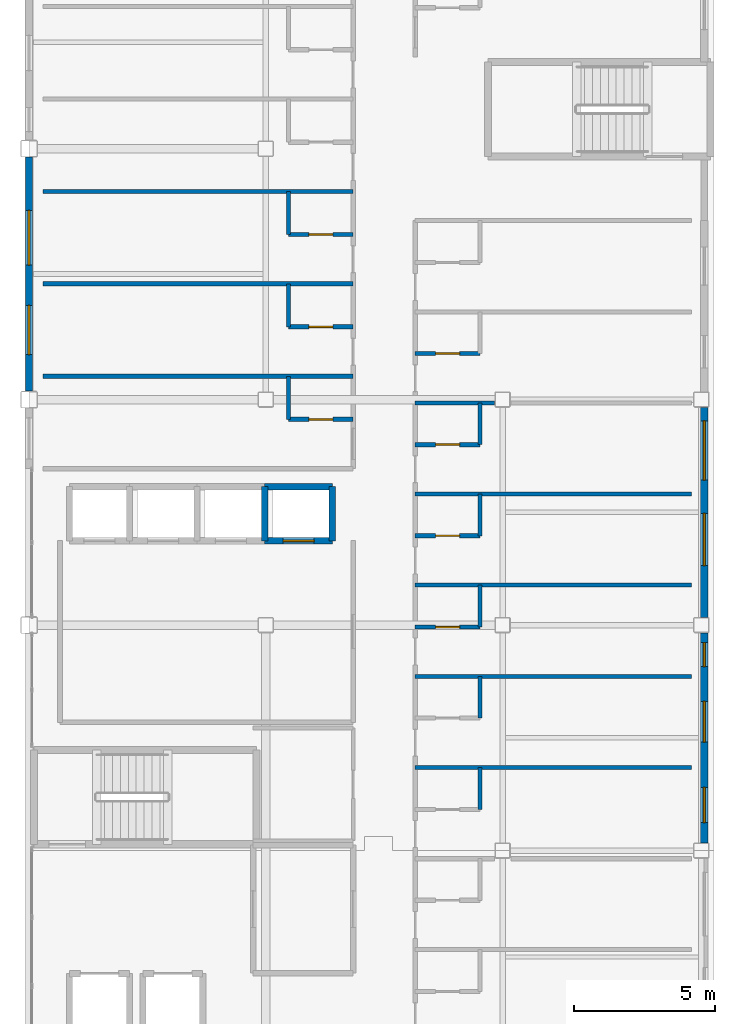
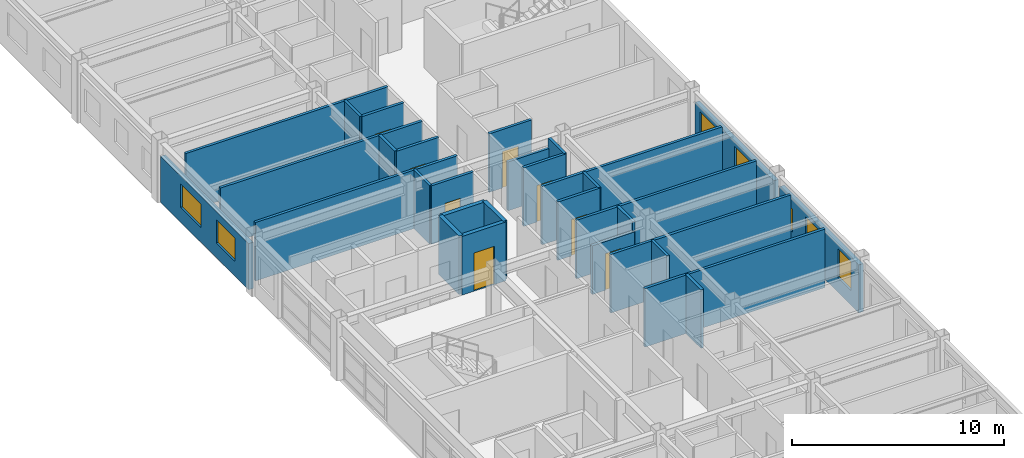
# One storey, part 29 of 36: 30 walls, 8 doors, 7 windows, 15 openings.
"""IFC4 building model written with IfcOpenShell, lengths in metres."""

from ifc_helpers import new_model, si_unit, direction, frame, frame_2d, origin, place, context, subcontext, project, spatial, rectangle, extrude, material, layer, layer_set, type_object, element, fill, save


model = new_model("IFC4")

# Units and contexts
model_context = context("Model", 3, precision=1e-05, world=origin(), true_north=direction((0.0, 1.0)))
body_context = subcontext(model_context, "Body", "Model", "MODEL_VIEW")
ifc_project = project(units=[si_unit("LENGTHUNIT", "METRE"), si_unit("AREAUNIT", "SQUARE_METRE"), si_unit("VOLUMEUNIT", "CUBIC_METRE"), si_unit("PLANEANGLEUNIT", "RADIAN"), si_unit("MASSUNIT", "GRAM", prefix="KILO")], contexts=[model_context])

# Site, building, storey
site_placement = place(None, origin())
site = spatial("IfcSite", under=ifc_project, at=site_placement, CompositionType="ELEMENT")
building_placement = place(site_placement, origin())
building = spatial("IfcBuilding", under=site, at=building_placement, Name="Kazehara Bluff Congress Hotel", CompositionType="ELEMENT")
storey_placement = place(building_placement, frame((0.0, 0.0, 28.199951171875)))
storey = spatial("IfcBuildingStorey", under=building, at=storey_placement, Name="L06", CompositionType="ELEMENT", Elevation=28.199951171875)

# Wall, openings, windows
ifc_material_1 = material(Name="Precast concrete C40/50", Category="concrete")
ifc_layer_1 = layer(ifc_material_1, 0.260009765625)
ifc_layer_set_1 = layer_set([ifc_layer_1], Name="Precast concrete C40/50")
wall_type_1 = type_object("IfcWallType", Name="TP-EW-260", PredefinedType="SOLIDWALL", material=ifc_layer_set_1)
wall_1_placement = place(storey_placement, frame((167.64990234375, 56.175048828125, 0.0), z_axis=(0.0, 0.0, 1.0), x_axis=(0.0, -1.0, 0.0)))
wall_1 = element("IfcWall", 1, at=wall_1_placement, inside=storey, type_object=wall_type_1, Name="L06 hotel facade panel 72", PredefinedType="SOLIDWALL", context=body_context, shape_type="SweptSolid", body=[
    extrude(rectangle(XDim=7.449951171875, YDim=0.260009765625, at=frame_2d((3.72509765625, 0.0))), origin(), (0.0, 0.0, 1.0), 2.755126953125),
])
opening_1_placement = place(wall_1_placement, frame((5.485107421875, 0.0, 0.85009765625)))
opening_1 = element("IfcOpeningElement", 2, at=opening_1_placement, cuts=wall_1, Name="Opening WN-08", PredefinedType="OPENING", context=body_context, shape_type="SweptSolid", body=[
    extrude(rectangle(XDim=1.25, YDim=1.64990234375, at=frame_2d((0.625, 0.824951171875))), frame((0.0, 0.139892578125, 0.0), z_axis=(0.0, -1.0, 0.0), x_axis=(1.0, 0.0, 0.0)), (0.0, 0.0, 1.0), 0.280029296875),
])
opening_2_placement = place(wall_1_placement, frame((2.429931640625, 0.0, 0.85009765625)))
opening_2 = element("IfcOpeningElement", 3, at=opening_2_placement, cuts=wall_1, Name="Opening WN-18", PredefinedType="OPENING", context=body_context, shape_type="SweptSolid", body=[
    extrude(rectangle(XDim=1.449951171875, YDim=1.64990234375, at=frame_2d((0.72509765625, 0.824951171875))), frame((0.0, 0.139892578125, 0.0), z_axis=(0.0, -1.0, 0.0), x_axis=(1.0, 0.0, 0.0)), (0.0, 0.0, 1.0), 0.280029296875),
])
opening_3_placement = place(wall_1_placement, frame((0.344970703125, 0.0, 0.85009765625)))
opening_3 = element("IfcOpeningElement", 4, at=opening_3_placement, cuts=wall_1, Name="Opening WN-55", PredefinedType="OPENING", context=body_context, shape_type="SweptSolid", body=[
    extrude(rectangle(XDim=0.85009765625, YDim=1.35009765625, at=frame_2d((0.425048828125, 0.675048828125))), frame((0.0, 0.139892578125, 0.0), z_axis=(0.0, -1.0, 0.0), x_axis=(1.0, 0.0, 0.0)), (0.0, 0.0, 1.0), 0.280029296875),
])
ifc_material_2 = material(Name="Insulated low-E double glazing", Category="glass")
window_type_1 = type_object("IfcWindowType", Name="TP-WN-08", PartitioningType="SINGLE_PANEL", PredefinedType="WINDOW", material=ifc_material_2)
window_1_placement = place(opening_1_placement, origin())
window_1 = element("IfcWindow", 5, at=window_1_placement, inside=storey, type_object=window_type_1, Name="L06 guestroom window WN-08 132", OverallHeight=1.64990234375, OverallWidth=1.25, PartitioningType="SINGLE_PANEL", PredefinedType="WINDOW", context=body_context, shape_type="SweptSolid", body=[
    extrude(rectangle(XDim=1.25, YDim=1.64990234375, at=frame_2d((0.625, 0.824951171875))), frame((0.0, 0.030029296875, 0.0), z_axis=(0.0, -1.0, 0.0), x_axis=(1.0, 0.0, 0.0)), (0.0, 0.0, 1.0), 0.06005859375),
])
fill(opening_1, window_1)
ifc_material_3 = material(Name="Insulated low-E double glazing", Category="glass")
window_type_2 = type_object("IfcWindowType", Name="TP-WN-18", PartitioningType="SINGLE_PANEL", PredefinedType="WINDOW", material=ifc_material_3)
window_2_placement = place(opening_2_placement, origin())
window_2 = element("IfcWindow", 6, at=window_2_placement, inside=storey, type_object=window_type_2, Name="L06 guestroom window WN-18 133", OverallHeight=1.64990234375, OverallWidth=1.449951171875, PartitioningType="SINGLE_PANEL", PredefinedType="WINDOW", context=body_context, shape_type="SweptSolid", body=[
    extrude(rectangle(XDim=1.449951171875, YDim=1.64990234375, at=frame_2d((0.72509765625, 0.824951171875))), frame((0.0, 0.030029296875, 0.0), z_axis=(0.0, -1.0, 0.0), x_axis=(1.0, 0.0, 0.0)), (0.0, 0.0, 1.0), 0.06005859375),
])
fill(opening_2, window_2)
ifc_material_4 = material(Name="Insulated low-E double glazing", Category="glass")
window_type_3 = type_object("IfcWindowType", Name="TP-WN-55", PartitioningType="SINGLE_PANEL", PredefinedType="WINDOW", material=ifc_material_4)
window_3_placement = place(opening_3_placement, origin())
window_3 = element("IfcWindow", 7, at=window_3_placement, inside=storey, type_object=window_type_3, Name="L06 guestroom window WN-55 134", OverallHeight=1.35009765625, OverallWidth=0.85009765625, PartitioningType="SINGLE_PANEL", PredefinedType="WINDOW", context=body_context, shape_type="SweptSolid", body=[
    extrude(rectangle(XDim=0.85009765625, YDim=1.35009765625, at=frame_2d((0.425048828125, 0.675048828125))), frame((0.0, 0.030029296875, 0.0), z_axis=(0.0, -1.0, 0.0), x_axis=(1.0, 0.0, 0.0)), (0.0, 0.0, 1.0), 0.06005859375),
])
fill(opening_3, window_3)

wall_2_placement = place(storey_placement, frame((167.64990234375, 64.175048828125, 0.0), z_axis=(0.0, 0.0, 1.0), x_axis=(0.0, -1.0, 0.0)))
wall_2 = element("IfcWall", 8, at=wall_2_placement, inside=storey, type_object=wall_type_1, Name="L06 hotel facade panel 73", PredefinedType="SOLIDWALL", context=body_context, shape_type="SweptSolid", body=[
    extrude(rectangle(XDim=7.449951171875, YDim=0.260009765625, at=frame_2d((3.72509765625, 0.0))), origin(), (0.0, 0.0, 1.0), 2.755126953125),
])
opening_4_placement = place(wall_2_placement, frame((3.764892578125, 0.0, 0.85009765625)))
opening_4 = element("IfcOpeningElement", 9, at=opening_4_placement, cuts=wall_2, Name="Opening WN-38", PredefinedType="OPENING", context=body_context, shape_type="SweptSolid", body=[
    extrude(rectangle(XDim=1.85009765625, YDim=1.64990234375, at=frame_2d((0.925048828125, 0.824951171875))), frame((0.0, 0.139892578125, 0.0), z_axis=(0.0, -1.0, 0.0), x_axis=(1.0, 0.0, 0.0)), (0.0, 0.0, 1.0), 0.280029296875),
])
opening_5_placement = place(wall_2_placement, frame((0.485107421875, 0.0, 0.85009765625)))
opening_5 = element("IfcOpeningElement", 10, at=opening_5_placement, cuts=wall_2, Name="Opening WN-48", PredefinedType="OPENING", context=body_context, shape_type="SweptSolid", body=[
    extrude(rectangle(XDim=2.10009765625, YDim=1.64990234375, at=frame_2d((1.050048828125, 0.824951171875))), frame((0.0, 0.139892578125, 0.0), z_axis=(0.0, -1.0, 0.0), x_axis=(1.0, 0.0, 0.0)), (0.0, 0.0, 1.0), 0.280029296875),
])
ifc_material_5 = material(Name="Insulated low-E double glazing", Category="glass")
window_type_4 = type_object("IfcWindowType", Name="TP-WN-38", PartitioningType="DOUBLE_PANEL_VERTICAL", PredefinedType="WINDOW", material=ifc_material_5)
window_4_placement = place(opening_4_placement, origin())
window_4 = element("IfcWindow", 11, at=window_4_placement, inside=storey, type_object=window_type_4, Name="L06 guestroom window WN-38 135", OverallHeight=1.64990234375, OverallWidth=1.85009765625, PartitioningType="SINGLE_PANEL", PredefinedType="WINDOW", context=body_context, shape_type="SweptSolid", body=[
    extrude(rectangle(XDim=1.85009765625, YDim=1.64990234375, at=frame_2d((0.925048828125, 0.824951171875))), frame((0.0, 0.030029296875, 0.0), z_axis=(0.0, -1.0, 0.0), x_axis=(1.0, 0.0, 0.0)), (0.0, 0.0, 1.0), 0.06005859375),
])
fill(opening_4, window_4)
ifc_material_6 = material(Name="Insulated low-E double glazing", Category="glass")
window_type_5 = type_object("IfcWindowType", Name="TP-WN-48", PartitioningType="DOUBLE_PANEL_VERTICAL", PredefinedType="WINDOW", material=ifc_material_6)
window_5_placement = place(opening_5_placement, origin())
window_5 = element("IfcWindow", 12, at=window_5_placement, inside=storey, type_object=window_type_5, Name="L06 guestroom window WN-48 136", OverallHeight=1.64990234375, OverallWidth=2.10009765625, PartitioningType="SINGLE_PANEL", PredefinedType="WINDOW", context=body_context, shape_type="SweptSolid", body=[
    extrude(rectangle(XDim=2.10009765625, YDim=1.64990234375, at=frame_2d((1.050048828125, 0.824951171875))), frame((0.0, 0.030029296875, 0.0), z_axis=(0.0, -1.0, 0.0), x_axis=(1.0, 0.0, 0.0)), (0.0, 0.0, 1.0), 0.06005859375),
])
fill(opening_5, window_5)

wall_3_placement = place(storey_placement, frame((143.699951171875, 64.75, 0.0), z_axis=(0.0, 0.0, 1.0), x_axis=(0.0, 1.0, 0.0)))
wall_3 = element("IfcWall", 13, at=wall_3_placement, inside=storey, type_object=wall_type_1, Name="L06 hotel facade panel 85", PredefinedType="SOLIDWALL", context=body_context, shape_type="SweptSolid", body=[
    extrude(rectangle(XDim=8.300048828125, YDim=0.260009765625, at=frame_2d((4.14990234375, 0.0))), origin(), (0.0, 0.0, 1.0), 2.655029296875),
])
opening_6_placement = place(wall_3_placement, frame((1.2900390625, 0.0, 0.85009765625)))
opening_6 = element("IfcOpeningElement", 14, at=opening_6_placement, cuts=wall_3, Name="Opening WN-31", PredefinedType="OPENING", context=body_context, shape_type="SweptSolid", body=[
    extrude(rectangle(XDim=1.75, YDim=1.35009765625, at=frame_2d((0.875, 0.675048828125))), frame((0.0, 0.139892578125, 0.0), z_axis=(0.0, -1.0, 0.0), x_axis=(1.0, 0.0, 0.0)), (0.0, 0.0, 1.0), 0.280029296875),
])
opening_7_placement = place(wall_3_placement, frame((4.465087890625, 0.0, 0.85009765625)))
opening_7 = element("IfcOpeningElement", 15, at=opening_7_placement, cuts=wall_3, Name="Opening WN-41", PredefinedType="OPENING", context=body_context, shape_type="SweptSolid", body=[
    extrude(rectangle(XDim=1.949951171875, YDim=1.35009765625, at=frame_2d((0.97509765625, 0.675048828125))), frame((0.0, 0.139892578125, 0.0), z_axis=(0.0, -1.0, 0.0), x_axis=(1.0, 0.0, 0.0)), (0.0, 0.0, 1.0), 0.280029296875),
])
ifc_material_7 = material(Name="Insulated low-E double glazing", Category="glass")
window_type_6 = type_object("IfcWindowType", Name="TP-WN-31", PartitioningType="SINGLE_PANEL", PredefinedType="WINDOW", material=ifc_material_7)
window_6_placement = place(opening_6_placement, origin())
window_6 = element("IfcWindow", 16, at=window_6_placement, inside=storey, type_object=window_type_6, Name="L06 guestroom window WN-31 155", OverallHeight=1.35009765625, OverallWidth=1.75, PartitioningType="SINGLE_PANEL", PredefinedType="WINDOW", context=body_context, shape_type="SweptSolid", body=[
    extrude(rectangle(XDim=1.75, YDim=1.35009765625, at=frame_2d((0.875, 0.675048828125))), frame((0.0, 0.030029296875, 0.0), z_axis=(0.0, -1.0, 0.0), x_axis=(1.0, 0.0, 0.0)), (0.0, 0.0, 1.0), 0.06005859375),
])
fill(opening_6, window_6)
ifc_material_8 = material(Name="Insulated low-E double glazing", Category="glass")
window_type_7 = type_object("IfcWindowType", Name="TP-WN-41", PartitioningType="DOUBLE_PANEL_VERTICAL", PredefinedType="WINDOW", material=ifc_material_8)
window_7_placement = place(opening_7_placement, origin())
window_7 = element("IfcWindow", 17, at=window_7_placement, inside=storey, type_object=window_type_7, Name="L06 guestroom window WN-41 156", OverallHeight=1.35009765625, OverallWidth=1.949951171875, PartitioningType="SINGLE_PANEL", PredefinedType="WINDOW", context=body_context, shape_type="SweptSolid", body=[
    extrude(rectangle(XDim=1.949951171875, YDim=1.35009765625, at=frame_2d((0.97509765625, 0.675048828125))), frame((0.0, 0.030029296875, 0.0), z_axis=(0.0, -1.0, 0.0), x_axis=(1.0, 0.0, 0.0)), (0.0, 0.0, 1.0), 0.06005859375),
])
fill(opening_7, window_7)

# Walls
ifc_material_9 = material(Name="Fire-rated gypsum board stud partition")
ifc_layer_2 = layer(ifc_material_9, 0.14990234375)
ifc_layer_set_2 = layer_set([ifc_layer_2], Name="Fire-rated gypsum board stud partition")
wall_type_2 = type_object("IfcWallType", Name="TP-PT-150", PredefinedType="PARTITIONING", material=ifc_layer_set_2)
for number, where, z_axis, x_axis, name in (
    (18, (157.39990234375, 51.39990234375, 0.0), (0.0, 0.0, 1.0), (1.0, 0.0, 0.0), "L06 partition PT-150 740"),
    (19, (157.39990234375, 54.6298828125, 0.0), (0.0, 0.0, 1.0), (1.0, 0.0, 0.0), "L06 partition PT-150 744"),
):
    element("IfcWall", number, at=place(storey_placement, frame(where, z_axis=z_axis, x_axis=x_axis)), inside=storey, type_object=wall_type_2, Name=name, PredefinedType="PARTITIONING", context=body_context, shape_type="SweptSolid", body=[
        extrude(rectangle(XDim=9.800048828125, YDim=0.14990234375, at=frame_2d((4.89990234375, 0.0))), origin(), (0.0, 0.0, 1.0), 3.364990234375),
    ])

# Wall, opening, door
wall_4_placement = place(storey_placement, frame((157.39990234375, 56.3798828125, 0.0), z_axis=(0.0, 0.0, 1.0), x_axis=(1.0, 0.0, 0.0)))
wall_4 = element("IfcWall", 20, at=wall_4_placement, inside=storey, type_object=wall_type_2, Name="L06 partition PT-150 745", PredefinedType="PARTITIONING", context=body_context, shape_type="SweptSolid", body=[
    extrude(rectangle(XDim=2.300048828125, YDim=0.14990234375, at=frame_2d((1.14990234375, 0.0))), origin(), (0.0, 0.0, 1.0), 2.804931640625),
])
opening_8_placement = place(wall_4_placement, frame((0.72509765625, 0.0, 0.0)))
opening_8 = element("IfcOpeningElement", 21, at=opening_8_placement, cuts=wall_4, Name="Opening BD-01", PredefinedType="OPENING", context=body_context, shape_type="SweptSolid", body=[
    extrude(rectangle(XDim=0.85009765625, YDim=2.10009765625, at=frame_2d((0.425048828125, 1.050048828125))), frame((0.0, 0.0849609375, 0.0), z_axis=(0.0, -1.0, 0.0), x_axis=(1.0, 0.0, 0.0)), (0.0, 0.0, 1.0), 0.169921875),
])
ifc_material_10 = material(Name="Architectural oak veneer leaf")
door_type_1 = type_object("IfcDoorType", Name="TP-BD-01", OperationType="NOTDEFINED", PredefinedType="DOOR", material=ifc_material_10)
door_1_placement = place(opening_8_placement, origin())
door_1 = element("IfcDoor", 22, at=door_1_placement, inside=storey, type_object=door_type_1, Name="L06 En-suite Bathroom 154 door", OperationType="SINGLE_SWING_LEFT", OverallHeight=2.10009765625, OverallWidth=0.85009765625, PredefinedType="DOOR", context=body_context, shape_type="SweptSolid", body=[
    extrude(rectangle(XDim=0.85009765625, YDim=2.10009765625, at=frame_2d((0.425048828125, 1.050048828125))), frame((0.0, 0.02490234375, 0.0), z_axis=(0.0, -1.0, 0.0), x_axis=(1.0, 0.0, 0.0)), (0.0, 0.0, 1.0), 0.050048828125),
])
fill(opening_8, door_1)

# Wall
wall_5_placement = place(storey_placement, frame((157.39990234375, 57.8701171875, 0.0), z_axis=(0.0, 0.0, 1.0), x_axis=(1.0, 0.0, 0.0)))
element("IfcWall", 23, at=wall_5_placement, inside=storey, type_object=wall_type_2, Name="L06 partition PT-150 746", PredefinedType="PARTITIONING", context=body_context, shape_type="SweptSolid", body=[
    extrude(rectangle(XDim=9.800048828125, YDim=0.14990234375, at=frame_2d((4.89990234375, 0.0))), origin(), (0.0, 0.0, 1.0), 3.364990234375),
])

# Wall, opening, door
wall_6_placement = place(storey_placement, frame((157.39990234375, 59.6201171875, 0.0), z_axis=(0.0, 0.0, 1.0), x_axis=(1.0, 0.0, 0.0)))
wall_6 = element("IfcWall", 24, at=wall_6_placement, inside=storey, type_object=wall_type_2, Name="L06 partition PT-150 747", PredefinedType="PARTITIONING", context=body_context, shape_type="SweptSolid", body=[
    extrude(rectangle(XDim=2.300048828125, YDim=0.14990234375, at=frame_2d((1.14990234375, 0.0))), origin(), (0.0, 0.0, 1.0), 3.364990234375),
])
opening_9_placement = place(wall_6_placement, frame((0.72509765625, 0.0, 0.0)))
opening_9 = element("IfcOpeningElement", 25, at=opening_9_placement, cuts=wall_6, Name="Opening BD-01", PredefinedType="OPENING", context=body_context, shape_type="SweptSolid", body=[
    extrude(rectangle(XDim=0.85009765625, YDim=2.10009765625, at=frame_2d((0.425048828125, 1.050048828125))), frame((0.0, 0.0849609375, 0.0), z_axis=(0.0, -1.0, 0.0), x_axis=(1.0, 0.0, 0.0)), (0.0, 0.0, 1.0), 0.169921875),
])
door_2_placement = place(opening_9_placement, origin())
door_2 = element("IfcDoor", 26, at=door_2_placement, inside=storey, type_object=door_type_1, Name="L06 En-suite Bathroom 155 door", OperationType="SINGLE_SWING_LEFT", OverallHeight=2.10009765625, OverallWidth=0.85009765625, PredefinedType="DOOR", context=body_context, shape_type="SweptSolid", body=[
    extrude(rectangle(XDim=0.85009765625, YDim=2.10009765625, at=frame_2d((0.425048828125, 1.050048828125))), frame((0.0, 0.02490234375, 0.0), z_axis=(0.0, -1.0, 0.0), x_axis=(1.0, 0.0, 0.0)), (0.0, 0.0, 1.0), 0.050048828125),
])
fill(opening_9, door_2)

# Wall
wall_7_placement = place(storey_placement, frame((157.39990234375, 61.10009765625, 0.0), z_axis=(0.0, 0.0, 1.0), x_axis=(1.0, 0.0, 0.0)))
element("IfcWall", 27, at=wall_7_placement, inside=storey, type_object=wall_type_2, Name="L06 partition PT-150 748", PredefinedType="PARTITIONING", context=body_context, shape_type="SweptSolid", body=[
    extrude(rectangle(XDim=9.800048828125, YDim=0.14990234375, at=frame_2d((4.89990234375, 0.0))), origin(), (0.0, 0.0, 1.0), 3.364990234375),
])

# Wall, opening, door
wall_8_placement = place(storey_placement, frame((157.39990234375, 62.85009765625, 0.0), z_axis=(0.0, 0.0, 1.0), x_axis=(1.0, 0.0, 0.0)))
wall_8 = element("IfcWall", 28, at=wall_8_placement, inside=storey, type_object=wall_type_2, Name="L06 partition PT-150 750", PredefinedType="PARTITIONING", context=body_context, shape_type="SweptSolid", body=[
    extrude(rectangle(XDim=2.300048828125, YDim=0.14990234375, at=frame_2d((1.14990234375, 0.0))), origin(), (0.0, 0.0, 1.0), 3.364990234375),
])
opening_10_placement = place(wall_8_placement, frame((0.72509765625, 0.0, 0.0)))
opening_10 = element("IfcOpeningElement", 29, at=opening_10_placement, cuts=wall_8, Name="Opening BD-01", PredefinedType="OPENING", context=body_context, shape_type="SweptSolid", body=[
    extrude(rectangle(XDim=0.85009765625, YDim=2.10009765625, at=frame_2d((0.425048828125, 1.050048828125))), frame((0.0, 0.0849609375, 0.0), z_axis=(0.0, -1.0, 0.0), x_axis=(1.0, 0.0, 0.0)), (0.0, 0.0, 1.0), 0.169921875),
])
door_3_placement = place(opening_10_placement, origin())
door_3 = element("IfcDoor", 30, at=door_3_placement, inside=storey, type_object=door_type_1, Name="L06 En-suite Bathroom 156 door", OperationType="SINGLE_SWING_LEFT", OverallHeight=2.10009765625, OverallWidth=0.85009765625, PredefinedType="DOOR", context=body_context, shape_type="SweptSolid", body=[
    extrude(rectangle(XDim=0.85009765625, YDim=2.10009765625, at=frame_2d((0.425048828125, 1.050048828125))), frame((0.0, 0.02490234375, 0.0), z_axis=(0.0, -1.0, 0.0), x_axis=(1.0, 0.0, 0.0)), (0.0, 0.0, 1.0), 0.050048828125),
])
fill(opening_10, door_3)

wall_9_placement = place(storey_placement, frame((152.89990234375, 63.75, 0.0), z_axis=(0.0, 0.0, 1.0), x_axis=(1.0, 0.0, 0.0)))
wall_9 = element("IfcWall", 31, at=wall_9_placement, inside=storey, type_object=wall_type_2, Name="L06 partition PT-150 751", PredefinedType="PARTITIONING", context=body_context, shape_type="SweptSolid", body=[
    extrude(rectangle(XDim=2.300048828125, YDim=0.14990234375, at=frame_2d((1.14990234375, 0.0))), origin(), (0.0, 0.0, 1.0), 3.364990234375),
])
opening_11_placement = place(wall_9_placement, frame((0.72509765625, 0.0, 0.0)))
opening_11 = element("IfcOpeningElement", 32, at=opening_11_placement, cuts=wall_9, Name="Opening BD-01", PredefinedType="OPENING", context=body_context, shape_type="SweptSolid", body=[
    extrude(rectangle(XDim=0.85009765625, YDim=2.10009765625, at=frame_2d((0.425048828125, 1.050048828125))), frame((0.0, 0.0849609375, 0.0), z_axis=(0.0, -1.0, 0.0), x_axis=(1.0, 0.0, 0.0)), (0.0, 0.0, 1.0), 0.169921875),
])
door_4_placement = place(opening_11_placement, origin())
door_4 = element("IfcDoor", 33, at=door_4_placement, inside=storey, type_object=door_type_1, Name="L06 En-suite Bathroom 126 door", OperationType="SINGLE_SWING_LEFT", OverallHeight=2.10009765625, OverallWidth=0.85009765625, PredefinedType="DOOR", context=body_context, shape_type="SweptSolid", body=[
    extrude(rectangle(XDim=0.85009765625, YDim=2.10009765625, at=frame_2d((0.425048828125, 1.050048828125))), frame((0.0, 0.02490234375, 0.0), z_axis=(0.0, -1.0, 0.0), x_axis=(1.0, 0.0, 0.0)), (0.0, 0.0, 1.0), 0.050048828125),
])
fill(opening_11, door_4)

# Walls
wall_10_placement = place(storey_placement, frame((157.39990234375, 64.330078125, 0.0), z_axis=(0.0, 0.0, 1.0), x_axis=(1.0, 0.0, 0.0)))
element("IfcWall", 34, at=wall_10_placement, inside=storey, type_object=wall_type_2, Name="L06 partition PT-150 752", PredefinedType="PARTITIONING", context=body_context, shape_type="SweptSolid", body=[
    extrude(rectangle(XDim=2.80517578125, YDim=0.14990234375, at=frame_2d((1.402587890625, 0.0))), origin(), (0.0, 0.0, 1.0), 2.804931640625),
])
wall_11_placement = place(storey_placement, frame((144.199951171875, 65.280029296875, 0.0), z_axis=(0.0, 0.0, 1.0), x_axis=(1.0, 0.0, 0.0)))
element("IfcWall", 35, at=wall_11_placement, inside=storey, type_object=wall_type_2, Name="L06 partition PT-150 754", PredefinedType="PARTITIONING", context=body_context, shape_type="SweptSolid", body=[
    extrude(rectangle(XDim=11.0, YDim=0.14990234375, at=frame_2d((5.5, 0.0))), origin(), (0.0, 0.0, 1.0), 3.364990234375),
])

# Wall, opening, door
wall_12_placement = place(storey_placement, frame((157.39990234375, 66.080078125, 0.0), z_axis=(0.0, 0.0, 1.0), x_axis=(1.0, 0.0, 0.0)))
wall_12 = element("IfcWall", 36, at=wall_12_placement, inside=storey, type_object=wall_type_2, Name="L06 partition PT-150 755", PredefinedType="PARTITIONING", context=body_context, shape_type="SweptSolid", body=[
    extrude(rectangle(XDim=2.300048828125, YDim=0.14990234375, at=frame_2d((1.14990234375, 0.0))), origin(), (0.0, 0.0, 1.0), 3.364990234375),
])
opening_12_placement = place(wall_12_placement, frame((0.72509765625, 0.0, 0.0)))
opening_12 = element("IfcOpeningElement", 37, at=opening_12_placement, cuts=wall_12, Name="Opening BD-01", PredefinedType="OPENING", context=body_context, shape_type="SweptSolid", body=[
    extrude(rectangle(XDim=0.85009765625, YDim=2.10009765625, at=frame_2d((0.425048828125, 1.050048828125))), frame((0.0, 0.0849609375, 0.0), z_axis=(0.0, -1.0, 0.0), x_axis=(1.0, 0.0, 0.0)), (0.0, 0.0, 1.0), 0.169921875),
])
door_5_placement = place(opening_12_placement, origin())
door_5 = element("IfcDoor", 38, at=door_5_placement, inside=storey, type_object=door_type_1, Name="L06 En-suite Bathroom 157 door", OperationType="SINGLE_SWING_LEFT", OverallHeight=2.10009765625, OverallWidth=0.85009765625, PredefinedType="DOOR", context=body_context, shape_type="SweptSolid", body=[
    extrude(rectangle(XDim=0.85009765625, YDim=2.10009765625, at=frame_2d((0.425048828125, 1.050048828125))), frame((0.0, 0.02490234375, 0.0), z_axis=(0.0, -1.0, 0.0), x_axis=(1.0, 0.0, 0.0)), (0.0, 0.0, 1.0), 0.050048828125),
])
fill(opening_12, door_5)

wall_13_placement = place(storey_placement, frame((152.89990234375, 67.030029296875, 0.0), z_axis=(0.0, 0.0, 1.0), x_axis=(1.0, 0.0, 0.0)))
wall_13 = element("IfcWall", 39, at=wall_13_placement, inside=storey, type_object=wall_type_2, Name="L06 partition PT-150 756", PredefinedType="PARTITIONING", context=body_context, shape_type="SweptSolid", body=[
    extrude(rectangle(XDim=2.300048828125, YDim=0.14990234375, at=frame_2d((1.14990234375, 0.0))), origin(), (0.0, 0.0, 1.0), 3.364990234375),
])
opening_13_placement = place(wall_13_placement, frame((0.72509765625, 0.0, 0.0)))
opening_13 = element("IfcOpeningElement", 40, at=opening_13_placement, cuts=wall_13, Name="Opening BD-01", PredefinedType="OPENING", context=body_context, shape_type="SweptSolid", body=[
    extrude(rectangle(XDim=0.85009765625, YDim=2.10009765625, at=frame_2d((0.425048828125, 1.050048828125))), frame((0.0, 0.0849609375, 0.0), z_axis=(0.0, -1.0, 0.0), x_axis=(1.0, 0.0, 0.0)), (0.0, 0.0, 1.0), 0.169921875),
])
door_6_placement = place(opening_13_placement, origin())
door_6 = element("IfcDoor", 41, at=door_6_placement, inside=storey, type_object=door_type_1, Name="L06 En-suite Bathroom 127 door", OperationType="SINGLE_SWING_LEFT", OverallHeight=2.10009765625, OverallWidth=0.85009765625, PredefinedType="DOOR", context=body_context, shape_type="SweptSolid", body=[
    extrude(rectangle(XDim=0.85009765625, YDim=2.10009765625, at=frame_2d((0.425048828125, 1.050048828125))), frame((0.0, 0.02490234375, 0.0), z_axis=(0.0, -1.0, 0.0), x_axis=(1.0, 0.0, 0.0)), (0.0, 0.0, 1.0), 0.050048828125),
])
fill(opening_13, door_6)

# Wall
wall_14_placement = place(storey_placement, frame((144.199951171875, 68.56005859375, 0.0), z_axis=(0.0, 0.0, 1.0), x_axis=(1.0, 0.0, 0.0)))
element("IfcWall", 42, at=wall_14_placement, inside=storey, type_object=wall_type_2, Name="L06 partition PT-150 758", PredefinedType="PARTITIONING", context=body_context, shape_type="SweptSolid", body=[
    extrude(rectangle(XDim=11.0, YDim=0.14990234375, at=frame_2d((5.5, 0.0))), origin(), (0.0, 0.0, 1.0), 3.364990234375),
])

# Wall, opening, door
wall_15_placement = place(storey_placement, frame((152.89990234375, 70.31005859375, 0.0), z_axis=(0.0, 0.0, 1.0), x_axis=(1.0, 0.0, 0.0)))
wall_15 = element("IfcWall", 43, at=wall_15_placement, inside=storey, type_object=wall_type_2, Name="L06 partition PT-150 760", PredefinedType="PARTITIONING", context=body_context, shape_type="SweptSolid", body=[
    extrude(rectangle(XDim=2.300048828125, YDim=0.14990234375, at=frame_2d((1.14990234375, 0.0))), origin(), (0.0, 0.0, 1.0), 3.364990234375),
])
opening_14_placement = place(wall_15_placement, frame((0.72509765625, 0.0, 0.0)))
opening_14 = element("IfcOpeningElement", 44, at=opening_14_placement, cuts=wall_15, Name="Opening BD-01", PredefinedType="OPENING", context=body_context, shape_type="SweptSolid", body=[
    extrude(rectangle(XDim=0.85009765625, YDim=2.10009765625, at=frame_2d((0.425048828125, 1.050048828125))), frame((0.0, 0.0849609375, 0.0), z_axis=(0.0, -1.0, 0.0), x_axis=(1.0, 0.0, 0.0)), (0.0, 0.0, 1.0), 0.169921875),
])
door_7_placement = place(opening_14_placement, origin())
door_7 = element("IfcDoor", 45, at=door_7_placement, inside=storey, type_object=door_type_1, Name="L06 En-suite Bathroom 128 door", OperationType="SINGLE_SWING_LEFT", OverallHeight=2.10009765625, OverallWidth=0.85009765625, PredefinedType="DOOR", context=body_context, shape_type="SweptSolid", body=[
    extrude(rectangle(XDim=0.85009765625, YDim=2.10009765625, at=frame_2d((0.425048828125, 1.050048828125))), frame((0.0, 0.02490234375, 0.0), z_axis=(0.0, -1.0, 0.0), x_axis=(1.0, 0.0, 0.0)), (0.0, 0.0, 1.0), 0.050048828125),
])
fill(opening_14, door_7)

# Walls
wall_16_placement = place(storey_placement, frame((144.199951171875, 71.830078125, 0.0), z_axis=(0.0, 0.0, 1.0), x_axis=(1.0, 0.0, 0.0)))
element("IfcWall", 46, at=wall_16_placement, inside=storey, type_object=wall_type_2, Name="L06 partition PT-150 762", PredefinedType="PARTITIONING", context=body_context, shape_type="SweptSolid", body=[
    extrude(rectangle(XDim=11.0, YDim=0.14990234375, at=frame_2d((5.5, 0.0))), origin(), (0.0, 0.0, 1.0), 3.364990234375),
])
wall_17_placement = place(storey_placement, frame((152.89990234375, 63.75, 0.0), z_axis=(0.0, 0.0, 1.0), x_axis=(0.0, 1.0, 0.0)))
element("IfcWall", 47, at=wall_17_placement, inside=storey, type_object=wall_type_2, Name="L06 partition PT-150 808", PredefinedType="PARTITIONING", context=body_context, shape_type="SweptSolid", body=[
    extrude(rectangle(XDim=1.52490234375, YDim=0.14990234375, at=frame_2d((0.762451171875, 0.0))), origin(), (0.0, 0.0, 1.0), 3.364990234375),
])
wall_18_placement = place(storey_placement, frame((152.89990234375, 67.02490234375, 0.0), z_axis=(0.0, 0.0, 1.0), x_axis=(0.0, 1.0, 0.0)))
element("IfcWall", 48, at=wall_18_placement, inside=storey, type_object=wall_type_2, Name="L06 partition PT-150 809", PredefinedType="PARTITIONING", context=body_context, shape_type="SweptSolid", body=[
    extrude(rectangle(XDim=1.530029296875, YDim=0.14990234375, at=frame_2d((0.76513671875, 0.0))), origin(), (0.0, 0.0, 1.0), 3.364990234375),
])
wall_19_placement = place(storey_placement, frame((152.89990234375, 70.304931640625, 0.0), z_axis=(0.0, 0.0, 1.0), x_axis=(0.0, 1.0, 0.0)))
element("IfcWall", 49, at=wall_19_placement, inside=storey, type_object=wall_type_2, Name="L06 partition PT-150 810", PredefinedType="PARTITIONING", context=body_context, shape_type="SweptSolid", body=[
    extrude(rectangle(XDim=1.525146484375, YDim=0.14990234375, at=frame_2d((0.7626953125, 0.0))), origin(), (0.0, 0.0, 1.0), 3.364990234375),
])
wall_20_placement = place(storey_placement, frame((159.699951171875, 49.9150390625, 0.0), z_axis=(0.0, 0.0, 1.0), x_axis=(0.0, 1.0, 0.0)))
element("IfcWall", 50, at=wall_20_placement, inside=storey, type_object=wall_type_2, Name="L06 partition PT-150 844", PredefinedType="PARTITIONING", context=body_context, shape_type="SweptSolid", body=[
    extrude(rectangle(XDim=1.48486328125, YDim=0.14990234375, at=frame_2d((0.742431640625, 0.0))), origin(), (0.0, 0.0, 1.0), 3.364990234375),
])
wall_21_placement = place(storey_placement, frame((159.699951171875, 53.14990234375, 0.0), z_axis=(0.0, 0.0, 1.0), x_axis=(0.0, 1.0, 0.0)))
element("IfcWall", 51, at=wall_21_placement, inside=storey, type_object=wall_type_2, Name="L06 partition PT-150 845", PredefinedType="PARTITIONING", context=body_context, shape_type="SweptSolid", body=[
    extrude(rectangle(XDim=1.485107421875, YDim=0.14990234375, at=frame_2d((0.74267578125, 0.0))), origin(), (0.0, 0.0, 1.0), 3.364990234375),
])
wall_22_placement = place(storey_placement, frame((159.699951171875, 56.385009765625, 0.0), z_axis=(0.0, 0.0, 1.0), x_axis=(0.0, 1.0, 0.0)))
element("IfcWall", 52, at=wall_22_placement, inside=storey, type_object=wall_type_2, Name="L06 partition PT-150 846", PredefinedType="PARTITIONING", context=body_context, shape_type="SweptSolid", body=[
    extrude(rectangle(XDim=1.47998046875, YDim=0.14990234375, at=frame_2d((0.739990234375, 0.0))), origin(), (0.0, 0.0, 1.0), 3.364990234375),
])
wall_23_placement = place(storey_placement, frame((159.699951171875, 59.614990234375, 0.0), z_axis=(0.0, 0.0, 1.0), x_axis=(0.0, 1.0, 0.0)))
element("IfcWall", 53, at=wall_23_placement, inside=storey, type_object=wall_type_2, Name="L06 partition PT-150 847", PredefinedType="PARTITIONING", context=body_context, shape_type="SweptSolid", body=[
    extrude(rectangle(XDim=1.485107421875, YDim=0.14990234375, at=frame_2d((0.74267578125, 0.0))), origin(), (0.0, 0.0, 1.0), 3.364990234375),
])
wall_24_placement = place(storey_placement, frame((159.699951171875, 62.85009765625, 0.0), z_axis=(0.0, 0.0, 1.0), x_axis=(0.0, 1.0, 0.0)))
element("IfcWall", 54, at=wall_24_placement, inside=storey, type_object=wall_type_2, Name="L06 partition PT-150 848", PredefinedType="PARTITIONING", context=body_context, shape_type="SweptSolid", body=[
    extrude(rectangle(XDim=1.48486328125, YDim=0.14990234375, at=frame_2d((0.742431640625, 0.0))), origin(), (0.0, 0.0, 1.0), 3.364990234375),
])
ifc_material_11 = material(Name="Concrete C40/50", Category="concrete")
ifc_layer_3 = layer(ifc_material_11, 0.219970703125)
ifc_layer_set_3 = layer_set([ifc_layer_3], Name="Concrete C40/50")
wall_type_3 = type_object("IfcWallType", Name="TP-SW-RC", PredefinedType="SHEAR", material=ifc_layer_set_3)
wall_25_placement = place(storey_placement, frame((152.06005859375, 59.43994140625, 0.0), z_axis=(0.0, 0.0, 1.0), x_axis=(0.0, 1.0, 0.0)))
element("IfcWall", 55, at=wall_25_placement, inside=storey, type_object=wall_type_3, Name="L06 EL-P3 lift shaft wall +X", PredefinedType="SHEAR", context=body_context, shape_type="SweptSolid", body=[
    extrude(rectangle(XDim=1.920166015625, YDim=0.219970703125, at=frame_2d((0.9599609375, 0.0))), origin(), (0.0, 0.0, 1.0), 3.380126953125),
])
wall_26_placement = place(storey_placement, frame((152.06005859375, 61.360107421875, 0.0), z_axis=(0.0, 0.0, 1.0), x_axis=(1.0, 0.0, 0.0)))
element("IfcWall", 56, at=wall_26_placement, inside=storey, type_object=wall_type_3, Name="L06 EL-P4 lift shaft wall +Y", PredefinedType="SHEAR", context=body_context, shape_type="SweptSolid", body=[
    extrude(rectangle(XDim=2.39990234375, YDim=0.219970703125, at=frame_2d((1.199951171875, 0.0))), origin(), (0.0, 0.0, 1.0), 3.380126953125),
])

# Wall, opening, door
wall_27_placement = place(storey_placement, frame((152.06005859375, 59.43994140625, 0.0), z_axis=(0.0, 0.0, 1.0), x_axis=(1.0, 0.0, 0.0)))
wall_27 = element("IfcWall", 57, at=wall_27_placement, inside=storey, type_object=wall_type_3, Name="L06 EL-P4 lift shaft wall -Y", PredefinedType="SHEAR", context=body_context, shape_type="SweptSolid", body=[
    extrude(rectangle(XDim=2.39990234375, YDim=0.219970703125, at=frame_2d((1.199951171875, 0.0))), origin(), (0.0, 0.0, 1.0), 3.380126953125),
])
opening_15_placement = place(wall_27_placement, frame((0.64990234375, 0.0, 0.0)))
opening_15 = element("IfcOpeningElement", 58, at=opening_15_placement, cuts=wall_27, Name="Opening LD-01", PredefinedType="OPENING", context=body_context, shape_type="SweptSolid", body=[
    extrude(rectangle(XDim=1.10009765625, YDim=2.199951171875, at=frame_2d((0.550048828125, 1.10009765625))), frame((0.0, 0.119873046875, 0.0), z_axis=(0.0, -1.0, 0.0), x_axis=(1.0, 0.0, 0.0)), (0.0, 0.0, 1.0), 0.239990234375),
])
ifc_material_12 = material(Name="Fire-rated painted steel leaf", Category="steel")
door_type_2 = type_object("IfcDoorType", Name="TP-LD-01", OperationType="SLIDING_TO_LEFT", PredefinedType="DOOR", material=ifc_material_12)
door_8_placement = place(opening_15_placement, origin())
door_8 = element("IfcDoor", 59, at=door_8_placement, inside=storey, type_object=door_type_2, Name="L06 EL-P4 elevator landing door", OperationType="SLIDING_TO_LEFT", OverallHeight=2.199951171875, OverallWidth=1.10009765625, PredefinedType="DOOR", context=body_context, shape_type="SweptSolid", body=[
    extrude(rectangle(XDim=1.10009765625, YDim=2.199951171875, at=frame_2d((0.550048828125, 1.10009765625))), frame((0.0, 0.02490234375, 0.0), z_axis=(0.0, -1.0, 0.0), x_axis=(1.0, 0.0, 0.0)), (0.0, 0.0, 1.0), 0.050048828125),
])
fill(opening_15, door_8)

# Wall
wall_28_placement = place(storey_placement, frame((154.4599609375, 59.43994140625, 0.0), z_axis=(0.0, 0.0, 1.0), x_axis=(0.0, 1.0, 0.0)))
element("IfcWall", 60, at=wall_28_placement, inside=storey, type_object=wall_type_3, Name="L06 EL-P4 lift shaft wall +X", PredefinedType="SHEAR", context=body_context, shape_type="SweptSolid", body=[
    extrude(rectangle(XDim=1.920166015625, YDim=0.219970703125, at=frame_2d((0.9599609375, 0.0))), origin(), (0.0, 0.0, 1.0), 3.380126953125),
])

save(model, "model.ifc")
